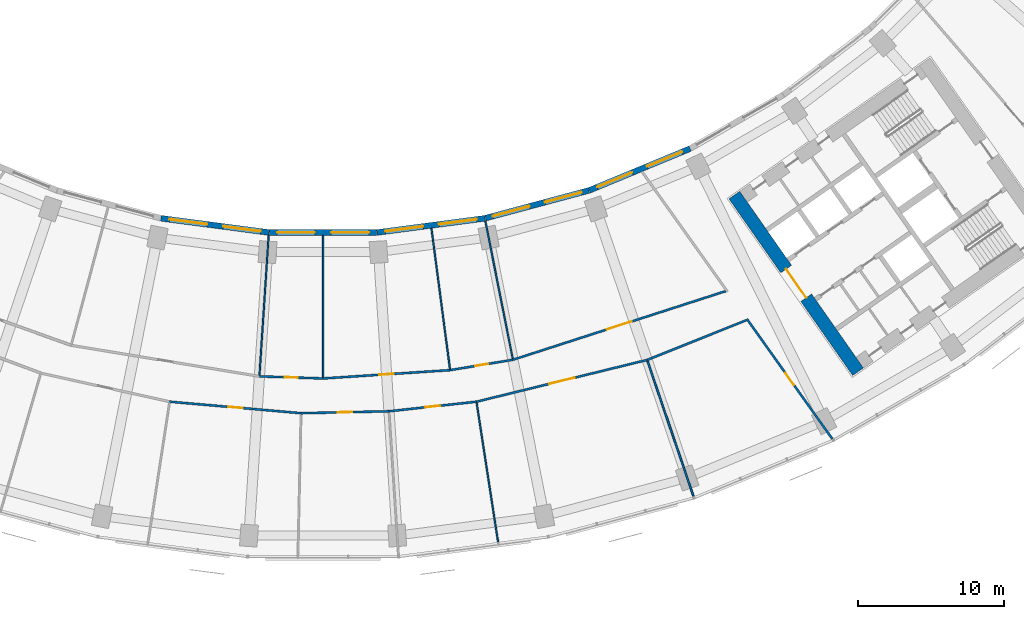
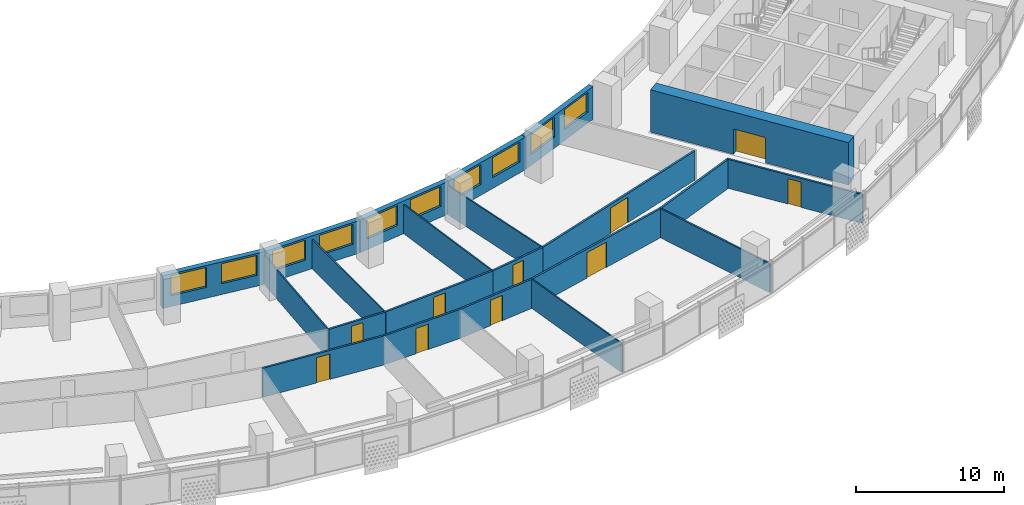
# One storey, part 6 of 29: 22 walls, 10 doors, 10 windows, 20 openings.
"""IFC4 building model written with IfcOpenShell, lengths in metres."""

from ifc_helpers import new_model, si_unit, direction, frame, frame_2d, origin, place, context, subcontext, project, spatial, rectangle, extrude, material, layer, layer_set, type_object, element, fill, save


model = new_model("IFC4")

# Units and contexts
model_context = context("Model", 3, precision=1e-05, world=origin(), true_north=direction((0.0, 1.0)))
body_context = subcontext(model_context, "Body", "Model", "MODEL_VIEW")
ifc_project = project(units=[si_unit("LENGTHUNIT", "METRE"), si_unit("AREAUNIT", "SQUARE_METRE"), si_unit("VOLUMEUNIT", "CUBIC_METRE"), si_unit("PLANEANGLEUNIT", "RADIAN"), si_unit("MASSUNIT", "GRAM", prefix="KILO")], contexts=[model_context])

# Site, building, storey
site_placement = place(None, origin())
site = spatial("IfcSite", under=ifc_project, at=site_placement, CompositionType="ELEMENT")
building_placement = place(site_placement, origin())
building = spatial("IfcBuilding", under=site, at=building_placement, Name="Qamariyya Broadcast Tower", CompositionType="ELEMENT")
storey_placement = place(building_placement, frame((0.0, 0.0, 113.89990234375)))
storey = spatial("IfcBuildingStorey", under=building, at=storey_placement, Name="L25", CompositionType="ELEMENT", Elevation=113.89990234375)

# Wall, opening, door
ifc_material_1 = material(Name="Concrete C70/85", Category="concrete")
ifc_layer_1 = layer(ifc_material_1, 0.89990234375)
ifc_layer_set_1 = layer_set([ifc_layer_1], Name="Core wall 900 mm Concrete C70/85")
wall_type_1 = type_object("IfcWallType", Name="Core wall 900 mm Concrete C70/85", PredefinedType="SHEAR", material=ifc_layer_set_1)
wall_1_placement = place(storey_placement, frame((36.716796875, -66.3369140625, 0.0), z_axis=(0.0, 0.0, 1.0), x_axis=(-0.573577477574, 0.819151315216, 0.0)))
wall_1 = element("IfcWall", 1, at=wall_1_placement, inside=storey, type_object=wall_type_1, Name="k-E-L25-WA", PredefinedType="SHEAR", context=body_context, shape_type="SweptSolid", body=[
    extrude(rectangle(XDim=14.800048828125, YDim=0.89990234375, at=frame_2d((7.39990234375, 0.0))), origin(), (0.0, 0.0, 1.0), 3.5),
])
opening_1_placement = place(wall_1_placement, frame((6.199951171875, 0.0, 0.0)))
opening_1 = element("IfcOpeningElement", 2, at=opening_1_placement, cuts=wall_1, Name="Opening KD3-E1", PredefinedType="OPENING", context=body_context, shape_type="SweptSolid", body=[
    extrude(rectangle(XDim=2.39990234375, YDim=2.10009765625, at=frame_2d((1.199951171875, 1.050048828125))), frame((0.0, 0.4599609375, 0.0), z_axis=(0.0, -1.0, 0.0), x_axis=(1.0, 0.0, 0.0)), (0.0, 0.0, 1.0), 0.919921875),
])
ifc_material_2 = material(Name="Steel fire-resisting door leaf", Category="steel")
door_type_1 = type_object("IfcDoorType", Name="Lift lobby door KD3", OperationType="DOUBLE_DOOR_SINGLE_SWING", PredefinedType="DOOR", material=ifc_material_2)
door_1_placement = place(opening_1_placement, origin())
door_1 = element("IfcDoor", 3, at=door_1_placement, inside=storey, type_object=door_type_1, Name="k-E-L25-WA-D1", OperationType="DOUBLE_DOOR_SINGLE_SWING", OverallHeight=2.10009765625, OverallWidth=2.39990234375, PredefinedType="DOOR", context=body_context, shape_type="SweptSolid", body=[
    extrude(rectangle(XDim=2.39990234375, YDim=2.10009765625, at=frame_2d((1.199951171875, 1.050048828125))), frame((0.0, 0.02490234375, 0.0), z_axis=(0.0, -1.0, 0.0), x_axis=(1.0, 0.0, 0.0)), (0.0, 0.0, 1.0), 0.050048828125),
])
fill(opening_1, door_1)

ifc_material_3 = material(Name="Gypsum board partition")
ifc_layer_2 = layer(ifc_material_3, 0.14990234375)
ifc_layer_set_2 = layer_set([ifc_layer_2], Name="Corridor partition 150 EI 60")
wall_type_2 = type_object("IfcWallType", Name="Corridor partition 150 EI 60", PredefinedType="PARTITIONING", material=ifc_layer_set_2)
wall_2_placement = place(storey_placement, frame((-1.511474609375, -69.18359375, 0.0), z_axis=(0.0, 0.0, 1.0), x_axis=(-0.996190935779, 0.087198735491, 0.0)))
wall_2 = element("IfcWall", 4, at=wall_2_placement, inside=storey, type_object=wall_type_2, Name="Partition L25-017", PredefinedType="PARTITIONING", context=body_context, shape_type="SweptSolid", body=[
    extrude(rectangle(XDim=9.0517578125, YDim=0.14990234375, at=frame_2d((4.52587890625, 0.0))), origin(), (0.0, 0.0, 1.0), 2.400146484375),
])
opening_2_placement = place(wall_2_placement, frame((4.02587890625, 0.0, 0.0)))
opening_2 = element("IfcOpeningElement", 5, at=opening_2_placement, cuts=wall_2, Name="Opening L25-D03", PredefinedType="OPENING", context=body_context, shape_type="SweptSolid", body=[
    extrude(rectangle(XDim=1.0, YDim=2.10009765625, at=frame_2d((0.5, 1.050048828125))), frame((0.0, 0.0849609375, 0.0), z_axis=(0.0, -1.0, 0.0), x_axis=(1.0, 0.0, 0.0)), (0.0, 0.0, 1.0), 0.169921875),
])
ifc_material_4 = material(Name="Timber fire door leaf", Category="wood")
door_type_2 = type_object("IfcDoorType", Name="Fire door 1000 x 2100 FD60", OperationType="NOTDEFINED", PredefinedType="DOOR", material=ifc_material_4)
door_2_placement = place(opening_2_placement, origin())
door_2 = element("IfcDoor", 6, at=door_2_placement, inside=storey, type_object=door_type_2, Name="Door L25-D03", OperationType="SINGLE_SWING_RIGHT", OverallHeight=2.10009765625, OverallWidth=1.0, PredefinedType="DOOR", context=body_context, shape_type="SweptSolid", body=[
    extrude(rectangle(XDim=1.0, YDim=2.10009765625, at=frame_2d((0.5, 1.050048828125))), frame((0.0, 0.02490234375, 0.0), z_axis=(0.0, -1.0, 0.0), x_axis=(1.0, 0.0, 0.0)), (0.0, 0.0, 1.0), 0.050048828125),
])
fill(opening_2, door_2)

wall_3_placement = place(storey_placement, frame((-4.368896484375, -66.656982421875, 0.0), z_axis=(0.0, 0.0, 1.0), x_axis=(0.99946426167, -0.03272903366, 0.0)))
wall_3 = element("IfcWall", 7, at=wall_3_placement, inside=storey, type_object=wall_type_2, Name="Partition L25-018", PredefinedType="PARTITIONING", context=body_context, shape_type="SweptSolid", body=[
    extrude(rectangle(XDim=4.371337890625, YDim=0.14990234375, at=frame_2d((2.185546875, 0.0))), origin(), (0.0, 0.0, 1.0), 2.400146484375),
])
opening_3_placement = place(wall_3_placement, frame((1.735595703125, 0.0, 0.0)))
opening_3 = element("IfcOpeningElement", 8, at=opening_3_placement, cuts=wall_3, Name="Opening L25-D10", PredefinedType="OPENING", context=body_context, shape_type="SweptSolid", body=[
    extrude(rectangle(XDim=0.89990234375, YDim=2.10009765625, at=frame_2d((0.449951171875, 1.050048828125))), frame((0.0, 0.0849609375, 0.0), z_axis=(0.0, -1.0, 0.0), x_axis=(1.0, 0.0, 0.0)), (0.0, 0.0, 1.0), 0.169921875),
])
door_type_3 = type_object("IfcDoorType", Name="Fire door 900 x 2100 FD60", OperationType="NOTDEFINED", PredefinedType="DOOR", material=ifc_material_4)
door_3_placement = place(opening_3_placement, origin())
door_3 = element("IfcDoor", 9, at=door_3_placement, inside=storey, type_object=door_type_3, Name="Door L25-D10", OperationType="SINGLE_SWING_RIGHT", OverallHeight=2.10009765625, OverallWidth=0.89990234375, PredefinedType="DOOR", context=body_context, shape_type="SweptSolid", body=[
    extrude(rectangle(XDim=0.89990234375, YDim=2.10009765625, at=frame_2d((0.449951171875, 1.050048828125))), frame((0.0, 0.02490234375, 0.0), z_axis=(0.0, -1.0, 0.0), x_axis=(1.0, 0.0, 0.0)), (0.0, 0.0, 1.0), 0.050048828125),
])
fill(opening_3, door_3)

wall_4_placement = place(storey_placement, frame((4.52587890625, -69.0517578125, 0.0), z_axis=(0.0, 0.0, 1.0), x_axis=(-0.999761664283, -0.021831505468, 0.0)))
wall_4 = element("IfcWall", 10, at=wall_4_placement, inside=storey, type_object=wall_type_2, Name="Partition L25-021", PredefinedType="PARTITIONING", context=body_context, shape_type="SweptSolid", body=[
    extrude(rectangle(XDim=6.038818359375, YDim=0.14990234375, at=frame_2d((3.01953125, 0.0))), origin(), (0.0, 0.0, 1.0), 2.400146484375),
])
opening_4_placement = place(wall_4_placement, frame((2.51953125, 0.0, 0.0)))
opening_4 = element("IfcOpeningElement", 11, at=opening_4_placement, cuts=wall_4, Name="Opening L25-D04", PredefinedType="OPENING", context=body_context, shape_type="SweptSolid", body=[
    extrude(rectangle(XDim=1.0, YDim=2.10009765625, at=frame_2d((0.5, 1.050048828125))), frame((0.0, 0.0849609375, 0.0), z_axis=(0.0, -1.0, 0.0), x_axis=(1.0, 0.0, 0.0)), (0.0, 0.0, 1.0), 0.169921875),
])
door_4_placement = place(opening_4_placement, origin())
door_4 = element("IfcDoor", 12, at=door_4_placement, inside=storey, type_object=door_type_2, Name="Door L25-D04", OperationType="SINGLE_SWING_RIGHT", OverallHeight=2.10009765625, OverallWidth=1.0, PredefinedType="DOOR", context=body_context, shape_type="SweptSolid", body=[
    extrude(rectangle(XDim=1.0, YDim=2.10009765625, at=frame_2d((0.5, 1.050048828125))), frame((0.0, 0.02490234375, 0.0), z_axis=(0.0, -1.0, 0.0), x_axis=(1.0, 0.0, 0.0)), (0.0, 0.0, 1.0), 0.050048828125),
])
fill(opening_4, door_4)

wall_5_placement = place(storey_placement, frame((0.0, -66.800048828125, 0.0), z_axis=(0.0, 0.0, 1.0), x_axis=(0.997858593599, 0.065408158359, 0.0)))
wall_5 = element("IfcWall", 13, at=wall_5_placement, inside=storey, type_object=wall_type_2, Name="Partition L25-022", PredefinedType="PARTITIONING", context=body_context, shape_type="SweptSolid", body=[
    extrude(rectangle(XDim=8.738037109375, YDim=0.14990234375, at=frame_2d((4.369140625, 0.0))), origin(), (0.0, 0.0, 1.0), 2.400146484375),
])
opening_5_placement = place(wall_5_placement, frame((3.868896484375, 0.0, 0.0)))
opening_5 = element("IfcOpeningElement", 14, at=opening_5_placement, cuts=wall_5, Name="Opening L25-D11", PredefinedType="OPENING", context=body_context, shape_type="SweptSolid", body=[
    extrude(rectangle(XDim=1.0, YDim=2.10009765625, at=frame_2d((0.5, 1.050048828125))), frame((0.0, 0.0849609375, 0.0), z_axis=(0.0, -1.0, 0.0), x_axis=(1.0, 0.0, 0.0)), (0.0, 0.0, 1.0), 0.169921875),
])
door_5_placement = place(opening_5_placement, origin())
door_5 = element("IfcDoor", 15, at=door_5_placement, inside=storey, type_object=door_type_2, Name="Door L25-D11", OperationType="SINGLE_SWING_RIGHT", OverallHeight=2.10009765625, OverallWidth=1.0, PredefinedType="DOOR", context=body_context, shape_type="SweptSolid", body=[
    extrude(rectangle(XDim=1.0, YDim=2.10009765625, at=frame_2d((0.5, 1.050048828125))), frame((0.0, 0.02490234375, 0.0), z_axis=(0.0, -1.0, 0.0), x_axis=(1.0, 0.0, 0.0)), (0.0, 0.0, 1.0), 0.050048828125),
])
fill(opening_5, door_5)

wall_6_placement = place(storey_placement, frame((10.52880859375, -68.394287109375, 0.0), z_axis=(0.0, 0.0, 1.0), x_axis=(-0.994055567966, -0.108873907782, 0.0)))
wall_6 = element("IfcWall", 16, at=wall_6_placement, inside=storey, type_object=wall_type_2, Name="Partition L25-024", PredefinedType="PARTITIONING", context=body_context, shape_type="SweptSolid", body=[
    extrude(rectangle(XDim=6.038818359375, YDim=0.14990234375, at=frame_2d((3.01953125, 0.0))), origin(), (0.0, 0.0, 1.0), 2.400146484375),
])
opening_6_placement = place(wall_6_placement, frame((2.51953125, 0.0, 0.0)))
opening_6 = element("IfcOpeningElement", 17, at=opening_6_placement, cuts=wall_6, Name="Opening L25-D05", PredefinedType="OPENING", context=body_context, shape_type="SweptSolid", body=[
    extrude(rectangle(XDim=1.0, YDim=2.10009765625, at=frame_2d((0.5, 1.050048828125))), frame((0.0, 0.0849609375, 0.0), z_axis=(0.0, -1.0, 0.0), x_axis=(1.0, 0.0, 0.0)), (0.0, 0.0, 1.0), 0.169921875),
])
door_6_placement = place(opening_6_placement, origin())
door_6 = element("IfcDoor", 18, at=door_6_placement, inside=storey, type_object=door_type_2, Name="Door L25-D05", OperationType="SINGLE_SWING_RIGHT", OverallHeight=2.10009765625, OverallWidth=1.0, PredefinedType="DOOR", context=body_context, shape_type="SweptSolid", body=[
    extrude(rectangle(XDim=1.0, YDim=2.10009765625, at=frame_2d((0.5, 1.050048828125))), frame((0.0, 0.02490234375, 0.0), z_axis=(0.0, -1.0, 0.0), x_axis=(1.0, 0.0, 0.0)), (0.0, 0.0, 1.0), 0.050048828125),
])
fill(opening_6, door_6)

wall_7_placement = place(storey_placement, frame((8.71923828125, -66.228515625, 0.0), z_axis=(0.0, 0.0, 1.0), x_axis=(0.986638873051, 0.162922479065, 0.0)))
wall_7 = element("IfcWall", 19, at=wall_7_placement, inside=storey, type_object=wall_type_2, Name="Partition L25-027", PredefinedType="PARTITIONING", context=body_context, shape_type="SweptSolid", body=[
    extrude(rectangle(XDim=4.37109375, YDim=0.14990234375, at=frame_2d((2.185546875, 0.0))), origin(), (0.0, 0.0, 1.0), 2.400146484375),
])
opening_7_placement = place(wall_7_placement, frame((1.735595703125, 0.0, 0.0)))
opening_7 = element("IfcOpeningElement", 20, at=opening_7_placement, cuts=wall_7, Name="Opening L25-D12", PredefinedType="OPENING", context=body_context, shape_type="SweptSolid", body=[
    extrude(rectangle(XDim=0.89990234375, YDim=2.10009765625, at=frame_2d((0.449951171875, 1.050048828125))), frame((0.0, 0.0849609375, 0.0), z_axis=(0.0, -1.0, 0.0), x_axis=(1.0, 0.0, 0.0)), (0.0, 0.0, 1.0), 0.169921875),
])
door_7_placement = place(opening_7_placement, origin())
door_7 = element("IfcDoor", 21, at=door_7_placement, inside=storey, type_object=door_type_3, Name="Door L25-D12", OperationType="SINGLE_SWING_RIGHT", OverallHeight=2.10009765625, OverallWidth=0.89990234375, PredefinedType="DOOR", context=body_context, shape_type="SweptSolid", body=[
    extrude(rectangle(XDim=0.89990234375, YDim=2.10009765625, at=frame_2d((0.449951171875, 1.050048828125))), frame((0.0, 0.02490234375, 0.0), z_axis=(0.0, -1.0, 0.0), x_axis=(1.0, 0.0, 0.0)), (0.0, 0.0, 1.0), 0.050048828125),
])
fill(opening_7, door_7)

wall_8_placement = place(storey_placement, frame((22.24365234375, -65.527587890625, 0.0), z_axis=(0.0, 0.0, 1.0), x_axis=(-0.971340247552, -0.23769333917, 0.0)))
wall_8 = element("IfcWall", 22, at=wall_8_placement, inside=storey, type_object=wall_type_2, Name="Partition L25-028", PredefinedType="PARTITIONING", context=body_context, shape_type="SweptSolid", body=[
    extrude(rectangle(XDim=12.060546875, YDim=0.14990234375, at=frame_2d((6.0302734375, 0.0))), origin(), (0.0, 0.0, 1.0), 2.400146484375),
])
opening_8_placement = place(wall_8_placement, frame((5.130126953125, 0.0, 0.0)))
opening_8 = element("IfcOpeningElement", 23, at=opening_8_placement, cuts=wall_8, Name="Opening L25-D06", PredefinedType="OPENING", context=body_context, shape_type="SweptSolid", body=[
    extrude(rectangle(XDim=1.800048828125, YDim=2.10009765625, at=frame_2d((0.89990234375, 1.050048828125))), frame((0.0, 0.0849609375, 0.0), z_axis=(0.0, -1.0, 0.0), x_axis=(1.0, 0.0, 0.0)), (0.0, 0.0, 1.0), 0.169921875),
])
door_type_4 = type_object("IfcDoorType", Name="Double fire door 1800 x 2100 FD60", OperationType="NOTDEFINED", PredefinedType="DOOR", material=ifc_material_4)
door_8_placement = place(opening_8_placement, origin())
door_8 = element("IfcDoor", 24, at=door_8_placement, inside=storey, type_object=door_type_4, Name="Door L25-D06", OperationType="DOUBLE_DOOR_SINGLE_SWING", OverallHeight=2.10009765625, OverallWidth=1.800048828125, PredefinedType="DOOR", context=body_context, shape_type="SweptSolid", body=[
    extrude(rectangle(XDim=1.800048828125, YDim=2.10009765625, at=frame_2d((0.89990234375, 1.050048828125))), frame((0.0, 0.02490234375, 0.0), z_axis=(0.0, -1.0, 0.0), x_axis=(1.0, 0.0, 0.0)), (0.0, 0.0, 1.0), 0.050048828125),
])
fill(opening_8, door_8)

wall_9_placement = place(storey_placement, frame((13.031982421875, -65.516357421875, 0.0), z_axis=(0.0, 0.0, 1.0), x_axis=(0.951705469381, 0.307012539729, 0.0)))
wall_9 = element("IfcWall", 25, at=wall_9_placement, inside=storey, type_object=wall_type_2, Name="Partition L25-031", PredefinedType="PARTITIONING", context=body_context, shape_type="SweptSolid", body=[
    extrude(rectangle(XDim=15.348388671875, YDim=0.14990234375, at=frame_2d((7.67431640625, 0.0))), origin(), (0.0, 0.0, 1.0), 2.400146484375),
])
opening_9_placement = place(wall_9_placement, frame((6.774169921875, 0.0, 0.0)))
opening_9 = element("IfcOpeningElement", 26, at=opening_9_placement, cuts=wall_9, Name="Opening L25-D13", PredefinedType="OPENING", context=body_context, shape_type="SweptSolid", body=[
    extrude(rectangle(XDim=1.800048828125, YDim=2.10009765625, at=frame_2d((0.89990234375, 1.050048828125))), frame((0.0, 0.0849609375, 0.0), z_axis=(0.0, -1.0, 0.0), x_axis=(1.0, 0.0, 0.0)), (0.0, 0.0, 1.0), 0.169921875),
])
door_9_placement = place(opening_9_placement, origin())
door_9 = element("IfcDoor", 27, at=door_9_placement, inside=storey, type_object=door_type_4, Name="Door L25-D13", OperationType="DOUBLE_DOOR_SINGLE_SWING", OverallHeight=2.10009765625, OverallWidth=1.800048828125, PredefinedType="DOOR", context=body_context, shape_type="SweptSolid", body=[
    extrude(rectangle(XDim=1.800048828125, YDim=2.10009765625, at=frame_2d((0.89990234375, 1.050048828125))), frame((0.0, 0.02490234375, 0.0), z_axis=(0.0, -1.0, 0.0), x_axis=(1.0, 0.0, 0.0)), (0.0, 0.0, 1.0), 0.050048828125),
])
fill(opening_9, door_9)

# Wall
wall_10_placement = place(storey_placement, frame((22.24365234375, -65.527587890625, 0.0), z_axis=(0.0, 0.0, 1.0), x_axis=(0.92834358791, 0.371723261025, 0.0)))
element("IfcWall", 28, at=wall_10_placement, inside=storey, type_object=wall_type_2, Name="Partition L25-033", PredefinedType="PARTITIONING", context=body_context, shape_type="SweptSolid", body=[
    extrude(rectangle(XDim=7.340087890625, YDim=0.14990234375, at=frame_2d((3.669921875, 0.0))), origin(), (0.0, 0.0, 1.0), 2.400146484375),
])

# Wall, opening, door
wall_11_placement = place(storey_placement, frame((34.95751953125, -70.958984375, 0.0), z_axis=(0.0, 0.0, 1.0), x_axis=(-0.580031092611, 0.814594335608, 0.0)))
wall_11 = element("IfcWall", 29, at=wall_11_placement, inside=storey, type_object=wall_type_2, Name="Partition L25-035", PredefinedType="PARTITIONING", context=body_context, shape_type="SweptSolid", body=[
    extrude(rectangle(XDim=10.126220703125, YDim=0.14990234375, at=frame_2d((5.06298828125, 0.0))), origin(), (0.0, 0.0, 1.0), 2.400146484375),
])
opening_10_placement = place(wall_11_placement, frame((4.563232421875, 0.0, 0.0)))
opening_10 = element("IfcOpeningElement", 30, at=opening_10_placement, cuts=wall_11, Name="Opening L25-D07", PredefinedType="OPENING", context=body_context, shape_type="SweptSolid", body=[
    extrude(rectangle(XDim=1.0, YDim=2.10009765625, at=frame_2d((0.5, 1.050048828125))), frame((0.0, 0.0849609375, 0.0), z_axis=(0.0, -1.0, 0.0), x_axis=(1.0, 0.0, 0.0)), (0.0, 0.0, 1.0), 0.169921875),
])
door_10_placement = place(opening_10_placement, origin())
door_10 = element("IfcDoor", 31, at=door_10_placement, inside=storey, type_object=door_type_2, Name="Door L25-D07", OperationType="SINGLE_SWING_RIGHT", OverallHeight=2.10009765625, OverallWidth=1.0, PredefinedType="DOOR", context=body_context, shape_type="SweptSolid", body=[
    extrude(rectangle(XDim=1.0, YDim=2.10009765625, at=frame_2d((0.5, 1.050048828125))), frame((0.0, 0.02490234375, 0.0), z_axis=(0.0, -1.0, 0.0), x_axis=(1.0, 0.0, 0.0)), (0.0, 0.0, 1.0), 0.050048828125),
])
fill(opening_10, door_10)

# Walls
ifc_material_5 = material(Name="Operable acoustic wall panels")
ifc_layer_3 = layer(ifc_material_5, 0.125)
ifc_layer_set_3 = layer_set([ifc_layer_3], Name="Operable acoustic partition 125")
wall_type_3 = type_object("IfcWallType", Name="Operable acoustic partition 125", PredefinedType="MOVABLE", material=ifc_layer_set_3)
wall_12_placement = place(storey_placement, frame((25.42578125, -74.902099609375, 0.0), z_axis=(0.0, 0.0, 1.0), x_axis=(-0.3214264651, 0.94693454237, 0.0)))
element("IfcWall", 32, at=wall_12_placement, inside=storey, type_object=wall_type_3, Name="Operable partition L25-034", PredefinedType="MOVABLE", context=body_context, shape_type="SweptSolid", body=[
    extrude(rectangle(XDim=9.82470703125, YDim=0.125, at=frame_2d((4.912353515625, 0.0))), origin(), (0.0, 0.0, 1.0), 2.400146484375),
])
ifc_layer_4 = layer(ifc_material_3, 0.10009765625)
ifc_layer_set_4 = layer_set([ifc_layer_4], Name="Partition 100")
wall_type_4 = type_object("IfcWallType", Name="Partition 100", PredefinedType="PARTITIONING", material=ifc_layer_set_4)
wall_13_placement = place(storey_placement, frame((-3.734619140625, -56.977783203125, 0.0), z_axis=(0.0, 0.0, 1.0), x_axis=(-0.065392665599, -0.997859609006, 0.0)))
element("IfcWall", 33, at=wall_13_placement, inside=storey, type_object=wall_type_4, Name="Partition L25-019", PredefinedType="PARTITIONING", context=body_context, shape_type="SweptSolid", body=[
    extrude(rectangle(XDim=9.624755859375, YDim=0.10009765625, at=frame_2d((4.8125, 0.0))), origin(), (0.0, 0.0, 1.0), 2.400146484375),
])
wall_14_placement = place(storey_placement, frame((0.0, -56.978515625, 0.0), z_axis=(0.0, 0.0, 1.0), x_axis=(0.0, -1.0, 0.0)))
element("IfcWall", 34, at=wall_14_placement, inside=storey, type_object=wall_type_4, Name="Partition L25-023", PredefinedType="PARTITIONING", context=body_context, shape_type="SweptSolid", body=[
    extrude(rectangle(XDim=9.74658203125, YDim=0.10009765625, at=frame_2d((4.873291015625, 0.0))), origin(), (0.0, 0.0, 1.0), 2.400146484375),
])
wall_15_placement = place(storey_placement, frame((7.437255859375, -56.4912109375, 0.0), z_axis=(0.0, 0.0, 1.0), x_axis=(0.13053421433, -0.99144380521, 0.0)))
element("IfcWall", 35, at=wall_15_placement, inside=storey, type_object=wall_type_4, Name="Partition L25-026", PredefinedType="PARTITIONING", context=body_context, shape_type="SweptSolid", body=[
    extrude(rectangle(XDim=9.746337890625, YDim=0.10009765625, at=frame_2d((4.873046875, 0.0))), origin(), (0.0, 0.0, 1.0), 2.400146484375),
])
wall_16_placement = place(storey_placement, frame((11.1396484375, -56.0029296875, 0.0), z_axis=(0.0, 0.0, 1.0), x_axis=(0.195086769421, -0.980785987052, 0.0)))
element("IfcWall", 36, at=wall_16_placement, inside=storey, type_object=wall_type_4, Name="Partition L25-029", PredefinedType="PARTITIONING", context=body_context, shape_type="SweptSolid", body=[
    extrude(rectangle(XDim=9.624755859375, YDim=0.10009765625, at=frame_2d((4.8125, 0.0))), origin(), (0.0, 0.0, 1.0), 2.400146484375),
])
wall_17_placement = place(storey_placement, frame((12.01220703125, -78.030029296875, 0.0), z_axis=(0.0, 0.0, 1.0), x_axis=(-0.152150105958, 0.988357397532, 0.0)))
element("IfcWall", 37, at=wall_17_placement, inside=storey, type_object=wall_type_4, Name="Partition L25-030", PredefinedType="PARTITIONING", context=body_context, shape_type="SweptSolid", body=[
    extrude(rectangle(XDim=9.674072265625, YDim=0.10009765625, at=frame_2d((4.8369140625, 0.0))), origin(), (0.0, 0.0, 1.0), 2.400146484375),
])

# Wall, openings, windows
ifc_material_6 = material(Name="Terracotta", Category="masonry")
ifc_layer_5 = layer(ifc_material_6, 0.39990234375)
ifc_layer_set_5 = layer_set([ifc_layer_5], Name="Terracotta clad wall 400")
wall_type_5 = type_object("IfcWallType", Name="Terracotta clad wall 400", PredefinedType="SOLIDWALL", material=ifc_layer_set_5)
wall_18_placement = place(storey_placement, frame((11.12548828125, -55.803955078125, 0.0), z_axis=(0.0, 0.0, 1.0), x_axis=(-0.991444533306, -0.130528684121, 0.0)))
wall_18 = element("IfcWall", 38, at=wall_18_placement, inside=storey, type_object=wall_type_5, Name="e-wl-L25-in100", PredefinedType="SOLIDWALL", context=body_context, shape_type="SweptSolid", body=[
    extrude(rectangle(XDim=7.492919921875, YDim=0.39990234375, at=frame_2d((3.74658203125, 0.0))), origin(), (0.0, 0.0, 1.0), 2.7001953125),
])
opening_11_placement = place(wall_18_placement, frame((4.300537109375, 0.0, 0.89990234375)))
opening_11 = element("IfcOpeningElement", 39, at=opening_11_placement, cuts=wall_18, Name="Opening W1", PredefinedType="OPENING", context=body_context, shape_type="SweptSolid", body=[
    extrude(rectangle(XDim=2.60009765625, YDim=1.64990234375, at=frame_2d((1.300048828125, 0.824951171875))), frame((0.0, 0.2099609375, 0.0), z_axis=(0.0, -1.0, 0.0), x_axis=(1.0, 0.0, 0.0)), (0.0, 0.0, 1.0), 0.419921875),
])
opening_12_placement = place(wall_18_placement, frame((0.59228515625, 0.0, 0.89990234375)))
opening_12 = element("IfcOpeningElement", 40, at=opening_12_placement, cuts=wall_18, Name="Opening W1", PredefinedType="OPENING", context=body_context, shape_type="SweptSolid", body=[
    extrude(rectangle(XDim=2.60009765625, YDim=1.64990234375, at=frame_2d((1.300048828125, 0.824951171875))), frame((0.0, 0.2099609375, 0.0), z_axis=(0.0, -1.0, 0.0), x_axis=(1.0, 0.0, 0.0)), (0.0, 0.0, 1.0), 0.419921875),
])
ifc_material_7 = material(Name="Clear low-e double glazed unit in aluminium frame", Category="aluminium")
window_type = type_object("IfcWindowType", Name="Ribbon window 2600 x 1650", PartitioningType="SINGLE_PANEL", PredefinedType="WINDOW", material=ifc_material_7)
window_1_placement = place(opening_11_placement, origin())
window_1 = element("IfcWindow", 41, at=window_1_placement, inside=storey, type_object=window_type, Name="e-w-L25-in10-0", OverallHeight=1.64990234375, OverallWidth=2.60009765625, PartitioningType="SINGLE_PANEL", PredefinedType="WINDOW", context=body_context, shape_type="SweptSolid", body=[
    extrude(rectangle(XDim=2.60009765625, YDim=1.64990234375, at=frame_2d((1.300048828125, 0.824951171875))), frame((0.0, 0.030029296875, 0.0), z_axis=(0.0, -1.0, 0.0), x_axis=(1.0, 0.0, 0.0)), (0.0, 0.0, 1.0), 0.06005859375),
])
fill(opening_11, window_1)
window_2_placement = place(opening_12_placement, origin())
window_2 = element("IfcWindow", 42, at=window_2_placement, inside=storey, type_object=window_type, Name="e-w-L25-in10-1", OverallHeight=1.64990234375, OverallWidth=2.60009765625, PartitioningType="SINGLE_PANEL", PredefinedType="WINDOW", context=body_context, shape_type="SweptSolid", body=[
    extrude(rectangle(XDim=2.60009765625, YDim=1.64990234375, at=frame_2d((1.300048828125, 0.824951171875))), frame((0.0, 0.030029296875, 0.0), z_axis=(0.0, -1.0, 0.0), x_axis=(1.0, 0.0, 0.0)), (0.0, 0.0, 1.0), 0.06005859375),
])
fill(opening_12, window_2)

wall_19_placement = place(storey_placement, frame((18.240966796875, -53.893798828125, 0.0), z_axis=(0.0, 0.0, 1.0), x_axis=(-0.965924597867, -0.258823629594, 0.0)))
wall_19 = element("IfcWall", 43, at=wall_19_placement, inside=storey, type_object=wall_type_5, Name="e-wl-L25-in110", PredefinedType="SOLIDWALL", context=body_context, shape_type="SweptSolid", body=[
    extrude(rectangle(XDim=7.341552734375, YDim=0.39990234375, at=frame_2d((3.6708984375, 0.0))), origin(), (0.0, 0.0, 1.0), 2.7001953125),
])
opening_13_placement = place(wall_19_placement, frame((4.224853515625, 0.0, 0.89990234375)))
opening_13 = element("IfcOpeningElement", 44, at=opening_13_placement, cuts=wall_19, Name="Opening W1", PredefinedType="OPENING", context=body_context, shape_type="SweptSolid", body=[
    extrude(rectangle(XDim=2.60009765625, YDim=1.64990234375, at=frame_2d((1.300048828125, 0.824951171875))), frame((0.0, 0.2099609375, 0.0), z_axis=(0.0, -1.0, 0.0), x_axis=(1.0, 0.0, 0.0)), (0.0, 0.0, 1.0), 0.419921875),
])
opening_14_placement = place(wall_19_placement, frame((0.5166015625, 0.0, 0.89990234375)))
opening_14 = element("IfcOpeningElement", 45, at=opening_14_placement, cuts=wall_19, Name="Opening W1", PredefinedType="OPENING", context=body_context, shape_type="SweptSolid", body=[
    extrude(rectangle(XDim=2.60009765625, YDim=1.64990234375, at=frame_2d((1.300048828125, 0.824951171875))), frame((0.0, 0.2099609375, 0.0), z_axis=(0.0, -1.0, 0.0), x_axis=(1.0, 0.0, 0.0)), (0.0, 0.0, 1.0), 0.419921875),
])
window_3_placement = place(opening_13_placement, origin())
window_3 = element("IfcWindow", 46, at=window_3_placement, inside=storey, type_object=window_type, Name="e-w-L25-in11-0", OverallHeight=1.64990234375, OverallWidth=2.60009765625, PartitioningType="SINGLE_PANEL", PredefinedType="WINDOW", context=body_context, shape_type="SweptSolid", body=[
    extrude(rectangle(XDim=2.60009765625, YDim=1.64990234375, at=frame_2d((1.300048828125, 0.824951171875))), frame((0.0, 0.030029296875, 0.0), z_axis=(0.0, -1.0, 0.0), x_axis=(1.0, 0.0, 0.0)), (0.0, 0.0, 1.0), 0.06005859375),
])
fill(opening_13, window_3)
window_4_placement = place(opening_14_placement, origin())
window_4 = element("IfcWindow", 47, at=window_4_placement, inside=storey, type_object=window_type, Name="e-w-L25-in11-1", OverallHeight=1.64990234375, OverallWidth=2.60009765625, PartitioningType="SINGLE_PANEL", PredefinedType="WINDOW", context=body_context, shape_type="SweptSolid", body=[
    extrude(rectangle(XDim=2.60009765625, YDim=1.64990234375, at=frame_2d((1.300048828125, 0.824951171875))), frame((0.0, 0.030029296875, 0.0), z_axis=(0.0, -1.0, 0.0), x_axis=(1.0, 0.0, 0.0)), (0.0, 0.0, 1.0), 0.06005859375),
])
fill(opening_14, window_4)

wall_20_placement = place(storey_placement, frame((25.189453125, -51.02294921875, 0.0), z_axis=(0.0, 0.0, 1.0), x_axis=(-0.923879826967, -0.382682721486, 0.0)))
wall_20 = element("IfcWall", 48, at=wall_20_placement, inside=storey, type_object=wall_type_5, Name="e-wl-L25-in120", PredefinedType="SOLIDWALL", context=body_context, shape_type="SweptSolid", body=[
    extrude(rectangle(XDim=7.492919921875, YDim=0.39990234375, at=frame_2d((3.74658203125, 0.0))), origin(), (0.0, 0.0, 1.0), 2.7001953125),
])
opening_15_placement = place(wall_20_placement, frame((4.300537109375, 0.0, 0.89990234375)))
opening_15 = element("IfcOpeningElement", 49, at=opening_15_placement, cuts=wall_20, Name="Opening W1", PredefinedType="OPENING", context=body_context, shape_type="SweptSolid", body=[
    extrude(rectangle(XDim=2.60009765625, YDim=1.64990234375, at=frame_2d((1.300048828125, 0.824951171875))), frame((0.0, 0.2099609375, 0.0), z_axis=(0.0, -1.0, 0.0), x_axis=(1.0, 0.0, 0.0)), (0.0, 0.0, 1.0), 0.419921875),
])
opening_16_placement = place(wall_20_placement, frame((0.59228515625, 0.0, 0.89990234375)))
opening_16 = element("IfcOpeningElement", 50, at=opening_16_placement, cuts=wall_20, Name="Opening W1", PredefinedType="OPENING", context=body_context, shape_type="SweptSolid", body=[
    extrude(rectangle(XDim=2.60009765625, YDim=1.64990234375, at=frame_2d((1.300048828125, 0.824951171875))), frame((0.0, 0.2099609375, 0.0), z_axis=(0.0, -1.0, 0.0), x_axis=(1.0, 0.0, 0.0)), (0.0, 0.0, 1.0), 0.419921875),
])
window_5_placement = place(opening_15_placement, origin())
window_5 = element("IfcWindow", 51, at=window_5_placement, inside=storey, type_object=window_type, Name="e-w-L25-in12-0", OverallHeight=1.64990234375, OverallWidth=2.60009765625, PartitioningType="SINGLE_PANEL", PredefinedType="WINDOW", context=body_context, shape_type="SweptSolid", body=[
    extrude(rectangle(XDim=2.60009765625, YDim=1.64990234375, at=frame_2d((1.300048828125, 0.824951171875))), frame((0.0, 0.030029296875, 0.0), z_axis=(0.0, -1.0, 0.0), x_axis=(1.0, 0.0, 0.0)), (0.0, 0.0, 1.0), 0.06005859375),
])
fill(opening_15, window_5)
window_6_placement = place(opening_16_placement, origin())
window_6 = element("IfcWindow", 52, at=window_6_placement, inside=storey, type_object=window_type, Name="e-w-L25-in12-1", OverallHeight=1.64990234375, OverallWidth=2.60009765625, PartitioningType="SINGLE_PANEL", PredefinedType="WINDOW", context=body_context, shape_type="SweptSolid", body=[
    extrude(rectangle(XDim=2.60009765625, YDim=1.64990234375, at=frame_2d((1.300048828125, 0.824951171875))), frame((0.0, 0.030029296875, 0.0), z_axis=(0.0, -1.0, 0.0), x_axis=(1.0, 0.0, 0.0)), (0.0, 0.0, 1.0), 0.06005859375),
])
fill(opening_16, window_6)

wall_21_placement = place(storey_placement, frame((-3.69677734375, -56.781982421875, 0.0), z_axis=(0.0, 0.0, 1.0), x_axis=(-0.991444533306, 0.130528684121, 0.0)))
wall_21 = element("IfcWall", 53, at=wall_21_placement, inside=storey, type_object=wall_type_5, Name="e-wl-L25-in80", PredefinedType="SOLIDWALL", context=body_context, shape_type="SweptSolid", body=[
    extrude(rectangle(XDim=7.492919921875, YDim=0.39990234375, at=frame_2d((3.74658203125, 0.0))), origin(), (0.0, 0.0, 1.0), 2.7001953125),
])
opening_17_placement = place(wall_21_placement, frame((4.300537109375, 0.0, 0.89990234375)))
opening_17 = element("IfcOpeningElement", 54, at=opening_17_placement, cuts=wall_21, Name="Opening W1", PredefinedType="OPENING", context=body_context, shape_type="SweptSolid", body=[
    extrude(rectangle(XDim=2.60009765625, YDim=1.64990234375, at=frame_2d((1.300048828125, 0.824951171875))), frame((0.0, 0.2099609375, 0.0), z_axis=(0.0, -1.0, 0.0), x_axis=(1.0, 0.0, 0.0)), (0.0, 0.0, 1.0), 0.419921875),
])
opening_18_placement = place(wall_21_placement, frame((0.59228515625, 0.0, 0.89990234375)))
opening_18 = element("IfcOpeningElement", 55, at=opening_18_placement, cuts=wall_21, Name="Opening W1", PredefinedType="OPENING", context=body_context, shape_type="SweptSolid", body=[
    extrude(rectangle(XDim=2.60009765625, YDim=1.64990234375, at=frame_2d((1.300048828125, 0.824951171875))), frame((0.0, 0.2099609375, 0.0), z_axis=(0.0, -1.0, 0.0), x_axis=(1.0, 0.0, 0.0)), (0.0, 0.0, 1.0), 0.419921875),
])
window_7_placement = place(opening_17_placement, origin())
window_7 = element("IfcWindow", 56, at=window_7_placement, inside=storey, type_object=window_type, Name="e-w-L25-in08-0", OverallHeight=1.64990234375, OverallWidth=2.60009765625, PartitioningType="SINGLE_PANEL", PredefinedType="WINDOW", context=body_context, shape_type="SweptSolid", body=[
    extrude(rectangle(XDim=2.60009765625, YDim=1.64990234375, at=frame_2d((1.300048828125, 0.824951171875))), frame((0.0, 0.030029296875, 0.0), z_axis=(0.0, -1.0, 0.0), x_axis=(1.0, 0.0, 0.0)), (0.0, 0.0, 1.0), 0.06005859375),
])
fill(opening_17, window_7)
window_8_placement = place(opening_18_placement, origin())
window_8 = element("IfcWindow", 57, at=window_8_placement, inside=storey, type_object=window_type, Name="e-w-L25-in08-1", OverallHeight=1.64990234375, OverallWidth=2.60009765625, PartitioningType="SINGLE_PANEL", PredefinedType="WINDOW", context=body_context, shape_type="SweptSolid", body=[
    extrude(rectangle(XDim=2.60009765625, YDim=1.64990234375, at=frame_2d((1.300048828125, 0.824951171875))), frame((0.0, 0.030029296875, 0.0), z_axis=(0.0, -1.0, 0.0), x_axis=(1.0, 0.0, 0.0)), (0.0, 0.0, 1.0), 0.06005859375),
])
fill(opening_18, window_8)

wall_22_placement = place(storey_placement, frame((3.670654296875, -56.778564453125, 0.0), z_axis=(0.0, 0.0, 1.0), x_axis=(-1.0, 0.0, 0.0)))
wall_22 = element("IfcWall", 58, at=wall_22_placement, inside=storey, type_object=wall_type_5, Name="e-wl-L25-in90", PredefinedType="SOLIDWALL", context=body_context, shape_type="SweptSolid", body=[
    extrude(rectangle(XDim=7.34130859375, YDim=0.39990234375, at=frame_2d((3.670654296875, 0.0))), origin(), (0.0, 0.0, 1.0), 2.7001953125),
])
opening_19_placement = place(wall_22_placement, frame((4.224853515625, 0.0, 0.89990234375)))
opening_19 = element("IfcOpeningElement", 59, at=opening_19_placement, cuts=wall_22, Name="Opening W1", PredefinedType="OPENING", context=body_context, shape_type="SweptSolid", body=[
    extrude(rectangle(XDim=2.60009765625, YDim=1.64990234375, at=frame_2d((1.300048828125, 0.824951171875))), frame((0.0, 0.2099609375, 0.0), z_axis=(0.0, -1.0, 0.0), x_axis=(1.0, 0.0, 0.0)), (0.0, 0.0, 1.0), 0.419921875),
])
opening_20_placement = place(wall_22_placement, frame((0.5166015625, 0.0, 0.89990234375)))
opening_20 = element("IfcOpeningElement", 60, at=opening_20_placement, cuts=wall_22, Name="Opening W1", PredefinedType="OPENING", context=body_context, shape_type="SweptSolid", body=[
    extrude(rectangle(XDim=2.60009765625, YDim=1.64990234375, at=frame_2d((1.300048828125, 0.824951171875))), frame((0.0, 0.2099609375, 0.0), z_axis=(0.0, -1.0, 0.0), x_axis=(1.0, 0.0, 0.0)), (0.0, 0.0, 1.0), 0.419921875),
])
window_9_placement = place(opening_19_placement, origin())
window_9 = element("IfcWindow", 61, at=window_9_placement, inside=storey, type_object=window_type, Name="e-w-L25-in09-0", OverallHeight=1.64990234375, OverallWidth=2.60009765625, PartitioningType="SINGLE_PANEL", PredefinedType="WINDOW", context=body_context, shape_type="SweptSolid", body=[
    extrude(rectangle(XDim=2.60009765625, YDim=1.64990234375, at=frame_2d((1.300048828125, 0.824951171875))), frame((0.0, 0.030029296875, 0.0), z_axis=(0.0, -1.0, 0.0), x_axis=(1.0, 0.0, 0.0)), (0.0, 0.0, 1.0), 0.06005859375),
])
fill(opening_19, window_9)
window_10_placement = place(opening_20_placement, origin())
window_10 = element("IfcWindow", 62, at=window_10_placement, inside=storey, type_object=window_type, Name="e-w-L25-in09-1", OverallHeight=1.64990234375, OverallWidth=2.60009765625, PartitioningType="SINGLE_PANEL", PredefinedType="WINDOW", context=body_context, shape_type="SweptSolid", body=[
    extrude(rectangle(XDim=2.60009765625, YDim=1.64990234375, at=frame_2d((1.300048828125, 0.824951171875))), frame((0.0, 0.030029296875, 0.0), z_axis=(0.0, -1.0, 0.0), x_axis=(1.0, 0.0, 0.0)), (0.0, 0.0, 1.0), 0.06005859375),
])
fill(opening_20, window_10)

save(model, "model.ifc")
